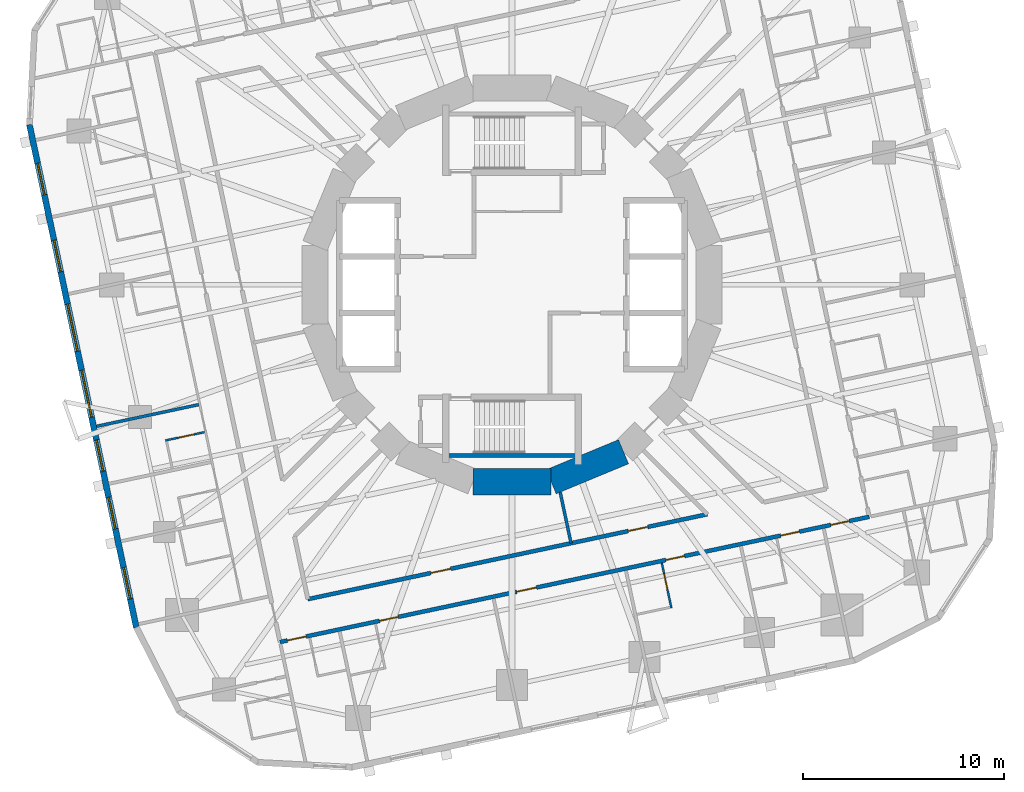
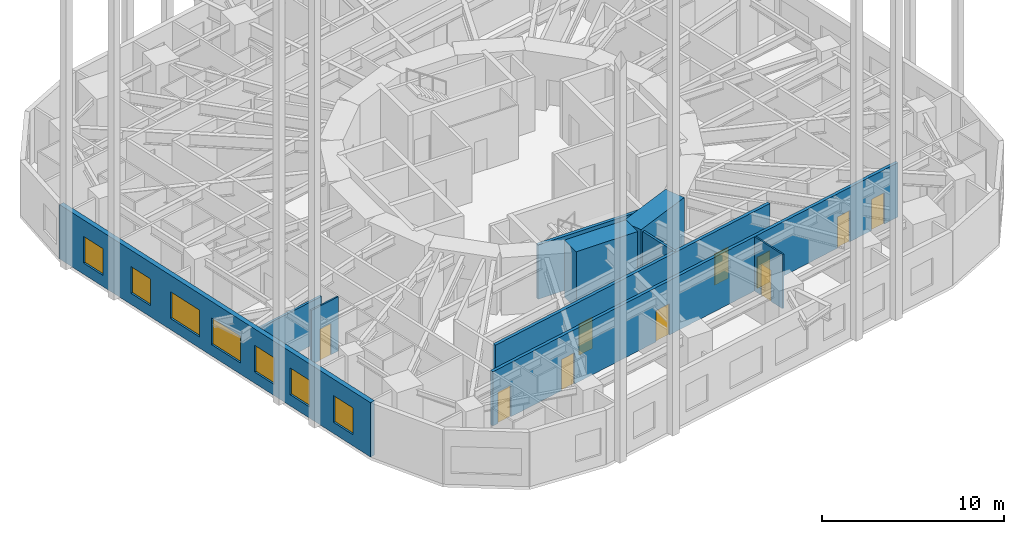
# One storey, part 5 of 12: 10 doors, 10 walls, 7 windows, 17 openings.
"""IFC4 building model written with IfcOpenShell, lengths in metres."""

import ifcopenshell
import ifcopenshell.guid

model = None  # the IFC model being written
_history = None  # IfcOwnerHistory: only IFC2X3 demands one
_inside = {}  # id of a spatial element -> (the spatial element, [elements in it])
_under = {}  # id of a project, library or spatial element -> (it, [spatial elements below it])
_declared = {}  # id of a project -> (the project, [libraries it declares])
_typed = {}  # id of a type object -> (the type object, [elements of that type])
_made_of = {}  # id of a material, layer set ... -> (it, [elements and type objects made of it])


def new_model(schema):
    """Start an empty IFC model of exactly this schema.

    Asked for "IFC4X3", IfcOpenShell would pick the latest addendum, in which some entities
    have other attributes; the version numbers below select the first issue.
    IFC2X3 requires an IfcOwnerHistory on every rooted entity: one is made here for all.
    """
    global model, _history
    if schema == "IFC4X3":
        model = ifcopenshell.file(schema_version=(4, 3, 0, 0))
    else:
        model = ifcopenshell.file(schema=schema)
    _inside.clear()
    _under.clear()
    _declared.clear()
    _typed.clear()
    _made_of.clear()
    _history = None
    if model.schema == "IFC2X3":
        org = make("IfcOrganization", Name="unknown")
        user = make(
            "IfcPersonAndOrganization",
            ThePerson=make("IfcPerson", FamilyName="unknown"),
            TheOrganization=org,
        )
        app = make(
            "IfcApplication",
            ApplicationDeveloper=org,
            Version="unknown",
            ApplicationFullName="unknown",
            ApplicationIdentifier="unknown",
        )
        _history = make(
            "IfcOwnerHistory",
            OwningUser=user,
            OwningApplication=app,
            ChangeAction="ADDED",
            CreationDate=0,
        )
    return model


def make(cls, **values):
    """One entity of the class cls with the attributes given. An attribute that is None is left unset."""
    return model.create_entity(
        cls, **{name: value for name, value in values.items() if value is not None}
    )


def rooted(cls, **values):
    """An entity with a GlobalId (a new one), such as an element, a storey or a relation."""
    return make(cls, GlobalId=ifcopenshell.guid.new(), OwnerHistory=_history, **values)


def si_unit(unit_type, name, prefix=None):
    """IfcSIUnit, for example si_unit("LENGTHUNIT", "METRE", prefix="MILLI")."""
    return make("IfcSIUnit", UnitType=unit_type, Prefix=prefix, Name=name)


def assignment(units):
    """IfcUnitAssignment: the units of a project."""
    return None if units is None else make("IfcUnitAssignment", Units=units)


def point(xyz):
    """IfcCartesianPoint."""
    return None if xyz is None else make("IfcCartesianPoint", Coordinates=xyz)


def direction(xyz):
    """IfcDirection."""
    return None if xyz is None else make("IfcDirection", DirectionRatios=xyz)


def frame(location, z_axis=None, x_axis=None):
    """IfcAxis2Placement3D, a coordinate frame: its origin and axes. An axis left out is left unset."""
    return make(
        "IfcAxis2Placement3D",
        Location=point(location),
        Axis=direction(z_axis),
        RefDirection=direction(x_axis),
    )


def frame_2d(location, x_axis=None):
    """IfcAxis2Placement2D, a coordinate frame in the plane: its origin and x axis."""
    return make(
        "IfcAxis2Placement2D", Location=point(location), RefDirection=direction(x_axis)
    )


def origin():
    """The frame at (0, 0, 0) with its axes left unset."""
    return frame((0.0, 0.0, 0.0))


def place(relative_to, where):
    """IfcLocalPlacement: puts the frame where relative to a parent placement (None: the world)."""
    return make(
        "IfcLocalPlacement", PlacementRelTo=relative_to, RelativePlacement=where
    )


def context(
    kind, dimensions, precision=None, world=None, true_north=None, identifier=None
):
    """IfcGeometricRepresentationContext, for example the 3D "Model" context."""
    return make(
        "IfcGeometricRepresentationContext",
        ContextIdentifier=identifier,
        ContextType=kind,
        CoordinateSpaceDimension=dimensions,
        Precision=precision,
        WorldCoordinateSystem=world,
        TrueNorth=true_north,
    )


def subcontext(parent, identifier, kind, view, scale=None):
    """IfcGeometricRepresentationSubContext, for example "Body" below "Model"."""
    return make(
        "IfcGeometricRepresentationSubContext",
        ContextIdentifier=identifier,
        ContextType=kind,
        ParentContext=parent,
        TargetScale=scale,
        TargetView=view,
    )


def project(units=None, contexts=None):
    """IfcProject with its units and contexts."""
    return rooted(
        "IfcProject",
        Name="project",
        RepresentationContexts=contexts,
        UnitsInContext=assignment(units),
    )


def spatial(cls, under=None, at=None, **own):
    """A site, building, storey or space (cls), placed at a placement, below another one or the project."""
    s = rooted(cls, ObjectPlacement=at, **own)
    if under is not None:
        _under.setdefault(under.id(), (under, []))[1].append(s)
    return s


def profile(cls, at=None, kind="AREA", **sizes):
    """A parametric profile (cls). Its sizes go by their IFC names, for example OverallWidth=200.0."""
    return make(cls, ProfileType=kind, Position=at, **sizes)


def rectangle(**sizes):
    """IfcRectangleProfileDef."""
    return profile("IfcRectangleProfileDef", **sizes)


def extrude(swept, where, along, depth):
    """IfcExtrudedAreaSolid: the profile swept, set in the frame where, extruded along a direction by depth."""
    return make(
        "IfcExtrudedAreaSolid",
        SweptArea=swept,
        Position=where,
        ExtrudedDirection=direction(along),
        Depth=depth,
    )


def shape(context_of_items, identifier, shape_type, items):
    """IfcShapeRepresentation: the items that make up one representation, for example the "Body"."""
    return make(
        "IfcShapeRepresentation",
        ContextOfItems=context_of_items,
        RepresentationIdentifier=identifier,
        RepresentationType=shape_type,
        Items=items,
    )


def material(Name=None, Category=None):
    """IfcMaterial."""
    return make("IfcMaterial", Name=Name, Category=Category)


def layer(
    of_material, thickness, ventilated=None, Name=None, Category=None, Priority=None
):
    """IfcMaterialLayer: one layer of a wall or slab, of a material (None: an air gap)."""
    return make(
        "IfcMaterialLayer",
        Material=of_material,
        LayerThickness=thickness,
        IsVentilated=ventilated,
        Name=Name,
        Category=Category,
        Priority=Priority,
    )


def layer_set(layers, Name=None):
    """IfcMaterialLayerSet."""
    return make("IfcMaterialLayerSet", MaterialLayers=layers, LayerSetName=Name)


def made_of(thing, what):
    """Note that an element or type object is made of a material, layer set ...; save() writes the relation."""
    if what is not None:
        _made_of.setdefault(what.id(), (what, []))[1].append(thing)
    return thing


def type_object(cls, material=None, **own):
    """A type object (cls), such as IfcWallType, which elements share."""
    return made_of(rooted(cls, **own), material)


def element(
    cls,
    number,
    at=None,
    inside=None,
    cuts=None,
    type_object=None,
    material=None,
    context=None,
    identifier="Body",
    shape_type=None,
    held_by="IfcProductDefinitionShape",
    body=None,
    shapes=None,
    **own,
):
    """One element of the class cls, such as IfcWall. Its Tag is "e" and its number.

    at: its placement. inside: the storey or other place that contains it. cuts: it is an
    opening in that element (IfcRelVoidsElement). A single representation is given by context,
    identifier, shape_type and body (its items); several are given by shapes. held_by: the class
    of the entity that holds the representations. save() writes the other relations.
    """
    e = rooted(cls, Tag="e%d" % number, ObjectPlacement=at, **own)
    if body is not None:
        shapes = [shape(context, identifier, shape_type, body)]
    if shapes is not None:
        e.Representation = make(held_by, Representations=shapes)
    if inside is not None:
        _inside.setdefault(inside.id(), (inside, []))[1].append(e)
    if cuts is not None:
        rooted(
            "IfcRelVoidsElement", RelatingBuildingElement=cuts, RelatedOpeningElement=e
        )
    if type_object is not None:
        _typed.setdefault(type_object.id(), (type_object, []))[1].append(e)
    return made_of(e, material)


def fill(opening, filler):
    """IfcRelFillsElement: the door or window that sits in an opening."""
    return rooted(
        "IfcRelFillsElement",
        RelatingOpeningElement=opening,
        RelatedBuildingElement=filler,
    )


def aggregate(whole, parts):
    """IfcRelAggregates: a whole, such as a stair, and the parts it consists of."""
    return rooted("IfcRelAggregates", RelatingObject=whole, RelatedObjects=parts)


def save(model, path):
    """Write the relations noted so far, then the file.

    IfcRelAggregates (storeys below a building ...), IfcRelContainedInSpatialStructure (elements
    in a storey), IfcRelDefinesByType, IfcRelAssociatesMaterial and IfcRelDeclares: one each for
    every whole, place, type object, material and project.
    """
    for whole, parts in _under.values():
        aggregate(whole, parts)
    for where, things in _inside.values():
        rooted(
            "IfcRelContainedInSpatialStructure",
            RelatedElements=things,
            RelatingStructure=where,
        )
    for kind, things in _typed.values():
        rooted("IfcRelDefinesByType", RelatedObjects=things, RelatingType=kind)
    for what, things in _made_of.values():
        rooted("IfcRelAssociatesMaterial", RelatedObjects=things, RelatingMaterial=what)
    for by, libraries in _declared.values():
        rooted("IfcRelDeclares", RelatingContext=by, RelatedDefinitions=libraries)
    model.write(path)


model = new_model("IFC4")

# Units and contexts
model_context = context("Model", 3, precision=1e-05, world=origin(), true_north=direction((0.0, 1.0)))
body_context = subcontext(model_context, "Body", "Model", "MODEL_VIEW")
ifc_project = project(units=[si_unit("LENGTHUNIT", "METRE"), si_unit("AREAUNIT", "SQUARE_METRE"), si_unit("VOLUMEUNIT", "CUBIC_METRE"), si_unit("PLANEANGLEUNIT", "RADIAN"), si_unit("MASSUNIT", "GRAM", prefix="KILO")], contexts=[model_context])

# Site, building, storey
site_placement = place(None, origin())
site = spatial("IfcSite", under=ifc_project, at=site_placement, CompositionType="ELEMENT")
building_placement = place(site_placement, origin())
building = spatial("IfcBuilding", under=site, at=building_placement, Name="Nakasero Lantern House", CompositionType="ELEMENT")
storey_placement = place(building_placement, frame((0.0, 0.0, 101.14990234375)))
storey = spatial("IfcBuildingStorey", under=building, at=storey_placement, Name="L24", CompositionType="ELEMENT", Elevation=101.14990234375)

# Walls
ifc_material_1 = material(Name="Concrete C50/60", Category="concrete")
ifc_layer_1 = layer(ifc_material_1, 1.300048828125)
ifc_layer_set_1 = layer_set([ifc_layer_1], Name="Core wall 1300")
wall_type_1 = type_object("IfcWallType", Name="Core wall 1300", PredefinedType="SHEAR", material=ifc_layer_set_1)
for number, where, z_axis, x_axis, name in (
    (1, (-1.950927734375, -9.807861328125, 0.0), (0.0, 0.0, 1.0), (1.0, 0.0, 0.0), "Core wall L24 facet 12"),
    (2, (1.950927734375, -9.807861328125, 0.0), (0.0, 0.0, 1.0), (0.923876507187, 0.382690736062, 0.0), "Core wall L24 facet 13"),
):
    element("IfcWall", number, at=place(storey_placement, frame(where, z_axis=z_axis, x_axis=x_axis)), inside=storey, type_object=wall_type_1, Name=name, PredefinedType="SHEAR", context=body_context, shape_type="SweptSolid", body=[
        extrude(rectangle(XDim=3.90185546875, YDim=1.300048828125, at=frame_2d((1.950927734375, 0.0))), origin(), (0.0, 0.0, 1.0), 3.85009765625),
    ])

# Wall, openings, doors
ifc_material_2 = material(Name="Blockwork", Category="masonry")
ifc_layer_2 = layer(ifc_material_2, 0.199951171875)
ifc_layer_set_2 = layer_set([ifc_layer_2], Name="Corridor wall 200")
wall_type_2 = type_object("IfcWallType", Name="Corridor wall 200", PredefinedType="PARTITIONING", material=ifc_layer_set_2)
wall_1_placement = place(storey_placement, frame((-11.553466796875, -17.790771484375, 0.0), z_axis=(0.0, 0.0, 1.0), x_axis=(0.978147639417, 0.207911508826, 0.0)))
wall_1 = element("IfcWall", 3, at=wall_1_placement, inside=storey, type_object=wall_type_2, Name="Corridor wall L24 CW3", PredefinedType="PARTITIONING", context=body_context, shape_type="SweptSolid", body=[
    extrude(rectangle(XDim=29.999755859375, YDim=0.199951171875, at=frame_2d((15.0, 0.0))), origin(), (0.0, 0.0, 1.0), 3.650146484375),
])
opening_1_placement = place(wall_1_placement, frame((0.375, 0.0, 0.0)))
opening_1 = element("IfcOpeningElement", 4, at=opening_1_placement, cuts=wall_1, Name="Opening D01", PredefinedType="OPENING", context=body_context, shape_type="SweptSolid", body=[
    extrude(rectangle(XDim=0.949951171875, YDim=2.10009765625, at=frame_2d((0.47509765625, 1.050048828125))), frame((0.0, 0.119873046875, 0.0), z_axis=(0.0, -1.0, 0.0), x_axis=(1.0, 0.0, 0.0)), (0.0, 0.0, 1.0), 0.239990234375),
])
opening_2_placement = place(wall_1_placement, frame((5.066162109375, 0.0, 0.0)))
opening_2 = element("IfcOpeningElement", 5, at=opening_2_placement, cuts=wall_1, Name="Opening D01", PredefinedType="OPENING", context=body_context, shape_type="SweptSolid", body=[
    extrude(rectangle(XDim=0.949951171875, YDim=2.10009765625, at=frame_2d((0.47509765625, 1.050048828125))), frame((0.0, 0.119873046875, 0.0), z_axis=(0.0, -1.0, 0.0), x_axis=(1.0, 0.0, 0.0)), (0.0, 0.0, 1.0), 0.239990234375),
])
opening_3_placement = place(wall_1_placement, frame((19.642578125, 0.0, 0.0)))
opening_3 = element("IfcOpeningElement", 6, at=opening_3_placement, cuts=wall_1, Name="Opening D01", PredefinedType="OPENING", context=body_context, shape_type="SweptSolid", body=[
    extrude(rectangle(XDim=0.949951171875, YDim=2.10009765625, at=frame_2d((0.47509765625, 1.050048828125))), frame((0.0, 0.119873046875, 0.0), z_axis=(0.0, -1.0, 0.0), x_axis=(1.0, 0.0, 0.0)), (0.0, 0.0, 1.0), 0.239990234375),
])
opening_4_placement = place(wall_1_placement, frame((25.495361328125, 0.0, 0.0)))
opening_4 = element("IfcOpeningElement", 7, at=opening_4_placement, cuts=wall_1, Name="Opening D01", PredefinedType="OPENING", context=body_context, shape_type="SweptSolid", body=[
    extrude(rectangle(XDim=0.949951171875, YDim=2.10009765625, at=frame_2d((0.47509765625, 1.050048828125))), frame((0.0, 0.119873046875, 0.0), z_axis=(0.0, -1.0, 0.0), x_axis=(1.0, 0.0, 0.0)), (0.0, 0.0, 1.0), 0.239990234375),
])
opening_5_placement = place(wall_1_placement, frame((28.038330078125, 0.0, 0.0)))
opening_5 = element("IfcOpeningElement", 8, at=opening_5_placement, cuts=wall_1, Name="Opening D01", PredefinedType="OPENING", context=body_context, shape_type="SweptSolid", body=[
    extrude(rectangle(XDim=0.949951171875, YDim=2.10009765625, at=frame_2d((0.47509765625, 1.050048828125))), frame((0.0, 0.119873046875, 0.0), z_axis=(0.0, -1.0, 0.0), x_axis=(1.0, 0.0, 0.0)), (0.0, 0.0, 1.0), 0.239990234375),
])
opening_6_placement = place(wall_1_placement, frame((12.05517578125, 0.0, 0.0)))
opening_6 = element("IfcOpeningElement", 9, at=opening_6_placement, cuts=wall_1, Name="Opening D03", PredefinedType="OPENING", context=body_context, shape_type="SweptSolid", body=[
    extrude(rectangle(XDim=1.0, YDim=2.10009765625, at=frame_2d((0.5, 1.050048828125))), frame((0.0, 0.119873046875, 0.0), z_axis=(0.0, -1.0, 0.0), x_axis=(1.0, 0.0, 0.0)), (0.0, 0.0, 1.0), 0.239990234375),
])
ifc_material_3 = material(Name="Timber C24", Category="wood")
door_type_1 = type_object("IfcDoorType", Name="Bedroom door FD30S 950", OperationType="SINGLE_SWING_LEFT", PredefinedType="DOOR", material=ifc_material_3)
door_1_placement = place(opening_1_placement, origin())
door_1 = element("IfcDoor", 10, at=door_1_placement, inside=storey, type_object=door_type_1, Name="Door L24 D3-00", OperationType="SINGLE_SWING_LEFT", OverallHeight=2.10009765625, OverallWidth=0.949951171875, PredefinedType="DOOR", context=body_context, shape_type="SweptSolid", body=[
    extrude(rectangle(XDim=0.949951171875, YDim=2.10009765625, at=frame_2d((0.47509765625, 1.050048828125))), frame((0.0, 0.02490234375, 0.0), z_axis=(0.0, -1.0, 0.0), x_axis=(1.0, 0.0, 0.0)), (0.0, 0.0, 1.0), 0.050048828125),
])
fill(opening_1, door_1)
door_2_placement = place(opening_2_placement, origin())
door_2 = element("IfcDoor", 11, at=door_2_placement, inside=storey, type_object=door_type_1, Name="Door L24 D3-01", OperationType="SINGLE_SWING_LEFT", OverallHeight=2.10009765625, OverallWidth=0.949951171875, PredefinedType="DOOR", context=body_context, shape_type="SweptSolid", body=[
    extrude(rectangle(XDim=0.949951171875, YDim=2.10009765625, at=frame_2d((0.47509765625, 1.050048828125))), frame((0.0, 0.02490234375, 0.0), z_axis=(0.0, -1.0, 0.0), x_axis=(1.0, 0.0, 0.0)), (0.0, 0.0, 1.0), 0.050048828125),
])
fill(opening_2, door_2)
door_3_placement = place(opening_3_placement, origin())
door_3 = element("IfcDoor", 12, at=door_3_placement, inside=storey, type_object=door_type_1, Name="Door L24 D3-05", OperationType="SINGLE_SWING_RIGHT", OverallHeight=2.10009765625, OverallWidth=0.949951171875, PredefinedType="DOOR", context=body_context, shape_type="SweptSolid", body=[
    extrude(rectangle(XDim=0.949951171875, YDim=2.10009765625, at=frame_2d((0.47509765625, 1.050048828125))), frame((0.0, 0.02490234375, 0.0), z_axis=(0.0, -1.0, 0.0), x_axis=(1.0, 0.0, 0.0)), (0.0, 0.0, 1.0), 0.050048828125),
])
fill(opening_3, door_3)
door_4_placement = place(opening_4_placement, origin())
door_4 = element("IfcDoor", 13, at=door_4_placement, inside=storey, type_object=door_type_1, Name="Door L24 D3-07", OperationType="SINGLE_SWING_RIGHT", OverallHeight=2.10009765625, OverallWidth=0.949951171875, PredefinedType="DOOR", context=body_context, shape_type="SweptSolid", body=[
    extrude(rectangle(XDim=0.949951171875, YDim=2.10009765625, at=frame_2d((0.47509765625, 1.050048828125))), frame((0.0, 0.02490234375, 0.0), z_axis=(0.0, -1.0, 0.0), x_axis=(1.0, 0.0, 0.0)), (0.0, 0.0, 1.0), 0.050048828125),
])
fill(opening_4, door_4)
door_5_placement = place(opening_5_placement, origin())
door_5 = element("IfcDoor", 14, at=door_5_placement, inside=storey, type_object=door_type_1, Name="Door L24 D3-08", OperationType="SINGLE_SWING_RIGHT", OverallHeight=2.10009765625, OverallWidth=0.949951171875, PredefinedType="DOOR", context=body_context, shape_type="SweptSolid", body=[
    extrude(rectangle(XDim=0.949951171875, YDim=2.10009765625, at=frame_2d((0.47509765625, 1.050048828125))), frame((0.0, 0.02490234375, 0.0), z_axis=(0.0, -1.0, 0.0), x_axis=(1.0, 0.0, 0.0)), (0.0, 0.0, 1.0), 0.050048828125),
])
fill(opening_5, door_5)
ifc_material_4 = material(Name="Timber C24", Category="wood")
door_type_2 = type_object("IfcDoorType", Name="Lounge door FD30S 1000", OperationType="SINGLE_SWING_LEFT", PredefinedType="DOOR", material=ifc_material_4)
door_6_placement = place(opening_6_placement, origin())
door_6 = element("IfcDoor", 15, at=door_6_placement, inside=storey, type_object=door_type_2, Name="Door L24 DK3", OperationType="SINGLE_SWING_LEFT", OverallHeight=2.10009765625, OverallWidth=1.0, PredefinedType="DOOR", context=body_context, shape_type="SweptSolid", body=[
    extrude(rectangle(XDim=1.0, YDim=2.10009765625, at=frame_2d((0.5, 1.050048828125))), frame((0.0, 0.02490234375, 0.0), z_axis=(0.0, -1.0, 0.0), x_axis=(1.0, 0.0, 0.0)), (0.0, 0.0, 1.0), 0.050048828125),
])
fill(opening_6, door_6)

wall_2_placement = place(storey_placement, frame((-10.1669921875, -15.656005859375, 0.0), z_axis=(0.0, 0.0, 1.0), x_axis=(0.978146922425, 0.207914881985, 0.0)))
wall_2 = element("IfcWall", 16, at=wall_2_placement, inside=storey, type_object=wall_type_2, Name="Corridor wall L24 IW3-0", PredefinedType="PARTITIONING", context=body_context, shape_type="SweptSolid", body=[
    extrude(rectangle(XDim=20.34130859375, YDim=0.199951171875, at=frame_2d((10.170654296875, 0.0))), origin(), (0.0, 0.0, 1.0), 3.650146484375),
])
opening_7_placement = place(wall_2_placement, frame((6.262451171875, 0.0, 0.0)))
opening_7 = element("IfcOpeningElement", 17, at=opening_7_placement, cuts=wall_2, Name="Opening D07", PredefinedType="OPENING", context=body_context, shape_type="SweptSolid", body=[
    extrude(rectangle(XDim=1.0, YDim=2.10009765625, at=frame_2d((0.5, 1.050048828125))), frame((0.0, 0.119873046875, 0.0), z_axis=(0.0, -1.0, 0.0), x_axis=(1.0, 0.0, 0.0)), (0.0, 0.0, 1.0), 0.239990234375),
])
opening_8_placement = place(wall_2_placement, frame((16.30810546875, 0.0, 0.0)))
opening_8 = element("IfcOpeningElement", 18, at=opening_8_placement, cuts=wall_2, Name="Opening D07", PredefinedType="OPENING", context=body_context, shape_type="SweptSolid", body=[
    extrude(rectangle(XDim=1.0, YDim=2.10009765625, at=frame_2d((0.5, 1.050048828125))), frame((0.0, 0.119873046875, 0.0), z_axis=(0.0, -1.0, 0.0), x_axis=(1.0, 0.0, 0.0)), (0.0, 0.0, 1.0), 0.239990234375),
])
ifc_material_5 = material(Name="Timber C24", Category="wood")
door_type_3 = type_object("IfcDoorType", Name="Room door FD30S 1000", OperationType="SINGLE_SWING_LEFT", PredefinedType="DOOR", material=ifc_material_5)
door_7_placement = place(opening_7_placement, origin())
door_7 = element("IfcDoor", 19, at=door_7_placement, inside=storey, type_object=door_type_3, Name="Door L24 DI1", OperationType="SINGLE_SWING_LEFT", OverallHeight=2.10009765625, OverallWidth=1.0, PredefinedType="DOOR", context=body_context, shape_type="SweptSolid", body=[
    extrude(rectangle(XDim=1.0, YDim=2.10009765625, at=frame_2d((0.5, 1.050048828125))), frame((0.0, 0.02490234375, 0.0), z_axis=(0.0, -1.0, 0.0), x_axis=(1.0, 0.0, 0.0)), (0.0, 0.0, 1.0), 0.050048828125),
])
fill(opening_7, door_7)
door_8_placement = place(opening_8_placement, origin())
door_8 = element("IfcDoor", 20, at=door_8_placement, inside=storey, type_object=door_type_3, Name="Door L24 DI2", OperationType="SINGLE_SWING_RIGHT", OverallHeight=2.10009765625, OverallWidth=1.0, PredefinedType="DOOR", context=body_context, shape_type="SweptSolid", body=[
    extrude(rectangle(XDim=1.0, YDim=2.10009765625, at=frame_2d((0.5, 1.050048828125))), frame((0.0, 0.02490234375, 0.0), z_axis=(0.0, -1.0, 0.0), x_axis=(1.0, 0.0, 0.0)), (0.0, 0.0, 1.0), 0.050048828125),
])
fill(opening_8, door_8)

# Wall, opening, door
ifc_material_6 = material(Name="Blockwork", Category="masonry")
ifc_layer_3 = layer(ifc_material_6, 0.10009765625)
ifc_layer_set_3 = layer_set([ifc_layer_3], Name="En-suite wall 100")
wall_type_3 = type_object("IfcWallType", Name="En-suite wall 100", PredefinedType="PARTITIONING", material=ifc_layer_set_3)
wall_3_placement = place(storey_placement, frame((-15.30908203125, -7.337158203125, 0.0), z_axis=(0.0, 0.0, 1.0), x_axis=(-0.978152955943, -0.207886494942, 0.0)))
wall_3 = element("IfcWall", 21, at=wall_3_placement, inside=storey, type_object=wall_type_3, Name="En-suite wall L24 ES2-05", PredefinedType="PARTITIONING", context=body_context, shape_type="SweptSolid", body=[
    extrude(rectangle(XDim=2.0, YDim=0.10009765625, at=frame_2d((1.0, 0.0))), origin(), (0.0, 0.0, 1.0), 3.650146484375),
])
opening_9_placement = place(wall_3_placement, frame((0.550048828125, 0.0, 0.0)))
opening_9 = element("IfcOpeningElement", 22, at=opening_9_placement, cuts=wall_3, Name="Opening D02", PredefinedType="OPENING", context=body_context, shape_type="SweptSolid", body=[
    extrude(rectangle(XDim=0.800048828125, YDim=2.10009765625, at=frame_2d((0.39990234375, 1.050048828125))), frame((0.0, 0.070068359375, 0.0), z_axis=(0.0, -1.0, 0.0), x_axis=(1.0, 0.0, 0.0)), (0.0, 0.0, 1.0), 0.14013671875),
])
ifc_material_7 = material(Name="Timber C24", Category="wood")
door_type_4 = type_object("IfcDoorType", Name="En-suite door 800", OperationType="SINGLE_SWING_RIGHT", PredefinedType="DOOR", material=ifc_material_7)
door_9_placement = place(opening_9_placement, origin())
door_9 = element("IfcDoor", 23, at=door_9_placement, inside=storey, type_object=door_type_4, Name="Door L24 DE2-05", OperationType="SINGLE_SWING_LEFT", OverallHeight=2.10009765625, OverallWidth=0.800048828125, PredefinedType="DOOR", context=body_context, shape_type="SweptSolid", body=[
    extrude(rectangle(XDim=0.800048828125, YDim=2.10009765625, at=frame_2d((0.39990234375, 1.050048828125))), frame((0.0, 0.02490234375, 0.0), z_axis=(0.0, -1.0, 0.0), x_axis=(1.0, 0.0, 0.0)), (0.0, 0.0, 1.0), 0.050048828125),
])
fill(opening_9, door_9)

wall_4_placement = place(storey_placement, frame((7.46044921875, -13.8515625, 0.0), z_axis=(0.0, 0.0, 1.0), x_axis=(0.207941273027, -0.978141312374, 0.0)))
wall_4 = element("IfcWall", 24, at=wall_4_placement, inside=storey, type_object=wall_type_3, Name="En-suite wall L24 ES3-05", PredefinedType="PARTITIONING", context=body_context, shape_type="SweptSolid", body=[
    extrude(rectangle(XDim=2.300048828125, YDim=0.10009765625, at=frame_2d((1.14990234375, 0.0))), origin(), (0.0, 0.0, 1.0), 3.650146484375),
])
opening_10_placement = place(wall_4_placement, frame((0.550048828125, 0.0, 0.0)))
opening_10 = element("IfcOpeningElement", 25, at=opening_10_placement, cuts=wall_4, Name="Opening D02", PredefinedType="OPENING", context=body_context, shape_type="SweptSolid", body=[
    extrude(rectangle(XDim=0.800048828125, YDim=2.10009765625, at=frame_2d((0.39990234375, 1.050048828125))), frame((0.0, 0.070068359375, 0.0), z_axis=(0.0, -1.0, 0.0), x_axis=(1.0, 0.0, 0.0)), (0.0, 0.0, 1.0), 0.14013671875),
])
door_10_placement = place(opening_10_placement, origin())
door_10 = element("IfcDoor", 26, at=door_10_placement, inside=storey, type_object=door_type_4, Name="Door L24 DE3-05", OperationType="SINGLE_SWING_LEFT", OverallHeight=2.10009765625, OverallWidth=0.800048828125, PredefinedType="DOOR", context=body_context, shape_type="SweptSolid", body=[
    extrude(rectangle(XDim=0.800048828125, YDim=2.10009765625, at=frame_2d((0.39990234375, 1.050048828125))), frame((0.0, 0.02490234375, 0.0), z_axis=(0.0, -1.0, 0.0), x_axis=(1.0, 0.0, 0.0)), (0.0, 0.0, 1.0), 0.050048828125),
])
fill(opening_10, door_10)

# Wall, openings, windows
ifc_material_8 = material(Name="Aluminium rainscreen on blockwork", Category="masonry")
ifc_layer_4 = layer(ifc_material_8, 0.300048828125)
ifc_layer_set_4 = layer_set([ifc_layer_4], Name="Facade wall 300")
wall_type_4 = type_object("IfcWallType", Name="Facade wall 300", PredefinedType="SOLIDWALL", material=ifc_layer_set_4)
wall_5_placement = place(storey_placement, frame((-24.03369140625, 7.9775390625, 0.0), z_axis=(0.0, 0.0, 1.0), x_axis=(0.207909055127, -0.978148160964, 0.0)))
wall_5 = element("IfcWall", 27, at=wall_5_placement, inside=storey, type_object=wall_type_4, Name="Facade wall L24 FW2S", PredefinedType="SOLIDWALL", context=body_context, shape_type="SweptSolid", body=[
    extrude(rectangle(XDim=25.60009765625, YDim=0.300048828125, at=frame_2d((12.800048828125, 0.0))), origin(), (0.0, 0.0, 1.0), 3.650146484375),
])
opening_11_placement = place(wall_5_placement, frame((1.975830078125, 0.0, 0.75)))
opening_11 = element("IfcOpeningElement", 28, at=opening_11_placement, cuts=wall_5, Name="Opening W01", PredefinedType="OPENING", context=body_context, shape_type="SweptSolid", body=[
    extrude(rectangle(XDim=1.60009765625, YDim=1.800048828125, at=frame_2d((0.800048828125, 0.89990234375))), frame((0.0, 0.169921875, 0.0), z_axis=(0.0, -1.0, 0.0), x_axis=(1.0, 0.0, 0.0)), (0.0, 0.0, 1.0), 0.340087890625),
])
opening_12_placement = place(wall_5_placement, frame((5.8955078125, 0.0, 0.75)))
opening_12 = element("IfcOpeningElement", 29, at=opening_12_placement, cuts=wall_5, Name="Opening W01", PredefinedType="OPENING", context=body_context, shape_type="SweptSolid", body=[
    extrude(rectangle(XDim=1.60009765625, YDim=1.800048828125, at=frame_2d((0.800048828125, 0.89990234375))), frame((0.0, 0.169921875, 0.0), z_axis=(0.0, -1.0, 0.0), x_axis=(1.0, 0.0, 0.0)), (0.0, 0.0, 1.0), 0.340087890625),
])
opening_13_placement = place(wall_5_placement, frame((16.0556640625, 0.0, 0.75)))
opening_13 = element("IfcOpeningElement", 30, at=opening_13_placement, cuts=wall_5, Name="Opening W01", PredefinedType="OPENING", context=body_context, shape_type="SweptSolid", body=[
    extrude(rectangle(XDim=1.60009765625, YDim=1.800048828125, at=frame_2d((0.800048828125, 0.89990234375))), frame((0.0, 0.169921875, 0.0), z_axis=(0.0, -1.0, 0.0), x_axis=(1.0, 0.0, 0.0)), (0.0, 0.0, 1.0), 0.340087890625),
])
opening_14_placement = place(wall_5_placement, frame((18.982177734375, 0.0, 0.75)))
opening_14 = element("IfcOpeningElement", 31, at=opening_14_placement, cuts=wall_5, Name="Opening W01", PredefinedType="OPENING", context=body_context, shape_type="SweptSolid", body=[
    extrude(rectangle(XDim=1.60009765625, YDim=1.800048828125, at=frame_2d((0.800048828125, 0.89990234375))), frame((0.0, 0.169921875, 0.0), z_axis=(0.0, -1.0, 0.0), x_axis=(1.0, 0.0, 0.0)), (0.0, 0.0, 1.0), 0.340087890625),
])
opening_15_placement = place(wall_5_placement, frame((22.554443359375, 0.0, 0.75)))
opening_15 = element("IfcOpeningElement", 32, at=opening_15_placement, cuts=wall_5, Name="Opening W01", PredefinedType="OPENING", context=body_context, shape_type="SweptSolid", body=[
    extrude(rectangle(XDim=1.60009765625, YDim=1.800048828125, at=frame_2d((0.800048828125, 0.89990234375))), frame((0.0, 0.169921875, 0.0), z_axis=(0.0, -1.0, 0.0), x_axis=(1.0, 0.0, 0.0)), (0.0, 0.0, 1.0), 0.340087890625),
])
opening_16_placement = place(wall_5_placement, frame((9.139404296875, 0.0, 0.75)))
opening_16 = element("IfcOpeningElement", 33, at=opening_16_placement, cuts=wall_5, Name="Opening W03", PredefinedType="OPENING", context=body_context, shape_type="SweptSolid", body=[
    extrude(rectangle(XDim=2.39990234375, YDim=1.800048828125, at=frame_2d((1.199951171875, 0.89990234375))), frame((0.0, 0.169921875, 0.0), z_axis=(0.0, -1.0, 0.0), x_axis=(1.0, 0.0, 0.0)), (0.0, 0.0, 1.0), 0.340087890625),
])
opening_17_placement = place(wall_5_placement, frame((12.50830078125, 0.0, 0.75)))
opening_17 = element("IfcOpeningElement", 34, at=opening_17_placement, cuts=wall_5, Name="Opening W03", PredefinedType="OPENING", context=body_context, shape_type="SweptSolid", body=[
    extrude(rectangle(XDim=2.39990234375, YDim=1.800048828125, at=frame_2d((1.199951171875, 0.89990234375))), frame((0.0, 0.169921875, 0.0), z_axis=(0.0, -1.0, 0.0), x_axis=(1.0, 0.0, 0.0)), (0.0, 0.0, 1.0), 0.340087890625),
])
ifc_material_9 = material(Name="Aluminium 6063-T6 and glass", Category="aluminium")
window_type_1 = type_object("IfcWindowType", Name="Bedroom window 1600x1800", PartitioningType="SINGLE_PANEL", PredefinedType="WINDOW", material=ifc_material_9)
window_1_placement = place(opening_11_placement, origin())
window_1 = element("IfcWindow", 35, at=window_1_placement, inside=storey, type_object=window_type_1, Name="Window L24 WN2-01", OverallHeight=1.800048828125, OverallWidth=1.60009765625, PartitioningType="SINGLE_PANEL", PredefinedType="WINDOW", context=body_context, shape_type="SweptSolid", body=[
    extrude(rectangle(XDim=1.60009765625, YDim=1.800048828125, at=frame_2d((0.800048828125, 0.89990234375))), frame((0.0, 0.030029296875, 0.0), z_axis=(0.0, -1.0, 0.0), x_axis=(1.0, 0.0, 0.0)), (0.0, 0.0, 1.0), 0.06005859375),
])
fill(opening_11, window_1)
window_2_placement = place(opening_12_placement, origin())
window_2 = element("IfcWindow", 36, at=window_2_placement, inside=storey, type_object=window_type_1, Name="Window L24 WN2-02", OverallHeight=1.800048828125, OverallWidth=1.60009765625, PartitioningType="SINGLE_PANEL", PredefinedType="WINDOW", context=body_context, shape_type="SweptSolid", body=[
    extrude(rectangle(XDim=1.60009765625, YDim=1.800048828125, at=frame_2d((0.800048828125, 0.89990234375))), frame((0.0, 0.030029296875, 0.0), z_axis=(0.0, -1.0, 0.0), x_axis=(1.0, 0.0, 0.0)), (0.0, 0.0, 1.0), 0.06005859375),
])
fill(opening_12, window_2)
window_3_placement = place(opening_13_placement, origin())
window_3 = element("IfcWindow", 37, at=window_3_placement, inside=storey, type_object=window_type_1, Name="Window L24 WN2-05", OverallHeight=1.800048828125, OverallWidth=1.60009765625, PartitioningType="SINGLE_PANEL", PredefinedType="WINDOW", context=body_context, shape_type="SweptSolid", body=[
    extrude(rectangle(XDim=1.60009765625, YDim=1.800048828125, at=frame_2d((0.800048828125, 0.89990234375))), frame((0.0, 0.030029296875, 0.0), z_axis=(0.0, -1.0, 0.0), x_axis=(1.0, 0.0, 0.0)), (0.0, 0.0, 1.0), 0.06005859375),
])
fill(opening_13, window_3)
window_4_placement = place(opening_14_placement, origin())
window_4 = element("IfcWindow", 38, at=window_4_placement, inside=storey, type_object=window_type_1, Name="Window L24 WN2-06", OverallHeight=1.800048828125, OverallWidth=1.60009765625, PartitioningType="SINGLE_PANEL", PredefinedType="WINDOW", context=body_context, shape_type="SweptSolid", body=[
    extrude(rectangle(XDim=1.60009765625, YDim=1.800048828125, at=frame_2d((0.800048828125, 0.89990234375))), frame((0.0, 0.030029296875, 0.0), z_axis=(0.0, -1.0, 0.0), x_axis=(1.0, 0.0, 0.0)), (0.0, 0.0, 1.0), 0.06005859375),
])
fill(opening_14, window_4)
window_5_placement = place(opening_15_placement, origin())
window_5 = element("IfcWindow", 39, at=window_5_placement, inside=storey, type_object=window_type_1, Name="Window L24 WN2-07", OverallHeight=1.800048828125, OverallWidth=1.60009765625, PartitioningType="SINGLE_PANEL", PredefinedType="WINDOW", context=body_context, shape_type="SweptSolid", body=[
    extrude(rectangle(XDim=1.60009765625, YDim=1.800048828125, at=frame_2d((0.800048828125, 0.89990234375))), frame((0.0, 0.030029296875, 0.0), z_axis=(0.0, -1.0, 0.0), x_axis=(1.0, 0.0, 0.0)), (0.0, 0.0, 1.0), 0.06005859375),
])
fill(opening_15, window_5)
ifc_material_10 = material(Name="Aluminium 6063-T6 and glass", Category="aluminium")
window_type_2 = type_object("IfcWindowType", Name="Lounge window 2400x1800", PartitioningType="SINGLE_PANEL", PredefinedType="WINDOW", material=ifc_material_10)
window_6_placement = place(opening_16_placement, origin())
window_6 = element("IfcWindow", 40, at=window_6_placement, inside=storey, type_object=window_type_2, Name="Window L24 WK2", OverallHeight=1.800048828125, OverallWidth=2.39990234375, PartitioningType="SINGLE_PANEL", PredefinedType="WINDOW", context=body_context, shape_type="SweptSolid", body=[
    extrude(rectangle(XDim=2.39990234375, YDim=1.800048828125, at=frame_2d((1.199951171875, 0.89990234375))), frame((0.0, 0.030029296875, 0.0), z_axis=(0.0, -1.0, 0.0), x_axis=(1.0, 0.0, 0.0)), (0.0, 0.0, 1.0), 0.06005859375),
])
fill(opening_16, window_6)
window_7_placement = place(opening_17_placement, origin())
window_7 = element("IfcWindow", 41, at=window_7_placement, inside=storey, type_object=window_type_2, Name="Window L24 WL2", OverallHeight=1.800048828125, OverallWidth=2.39990234375, PartitioningType="SINGLE_PANEL", PredefinedType="WINDOW", context=body_context, shape_type="SweptSolid", body=[
    extrude(rectangle(XDim=2.39990234375, YDim=1.800048828125, at=frame_2d((1.199951171875, 0.89990234375))), frame((0.0, 0.030029296875, 0.0), z_axis=(0.0, -1.0, 0.0), x_axis=(1.0, 0.0, 0.0)), (0.0, 0.0, 1.0), 0.06005859375),
])
fill(opening_17, window_7)

# Walls
ifc_material_11 = material(Name="Blockwork", Category="masonry")
ifc_layer_5 = layer(ifc_material_11, 0.199951171875)
ifc_layer_set_5 = layer_set([ifc_layer_5], Name="Fire lobby wall 200")
wall_type_5 = type_object("IfcWallType", Name="Fire lobby wall 200", PredefinedType="PARTITIONING", material=ifc_layer_set_5)
wall_6_placement = place(storey_placement, frame((-3.300048828125, -8.5, 0.0), z_axis=(0.0, 0.0, 1.0), x_axis=(1.0, 0.0, 0.0)))
element("IfcWall", 42, at=wall_6_placement, inside=storey, type_object=wall_type_5, Name="Fire lobby wall L24 W-STS", PredefinedType="PARTITIONING", context=body_context, shape_type="SweptSolid", body=[
    extrude(rectangle(XDim=6.60009765625, YDim=0.199951171875, at=frame_2d((3.300048828125, 0.0))), origin(), (0.0, 0.0, 1.0), 3.650146484375),
])
ifc_material_12 = material(Name="Blockwork", Category="masonry")
ifc_layer_6 = layer(ifc_material_12, 0.14990234375)
ifc_layer_set_6 = layer_set([ifc_layer_6], Name="Party wall 150")
wall_type_6 = type_object("IfcWallType", Name="Party wall 150", PredefinedType="PARTITIONING", material=ifc_layer_set_6)
wall_7_placement = place(storey_placement, frame((-15.600341796875, -5.966552734375, 0.0), z_axis=(0.0, 0.0, 1.0), x_axis=(-0.978151452323, -0.207893569688, 0.0)))
element("IfcWall", 43, at=wall_7_placement, inside=storey, type_object=wall_type_6, Name="Party wall L24 PW2-05", PredefinedType="PARTITIONING", context=body_context, shape_type="SweptSolid", body=[
    extrude(rectangle(XDim=5.199951171875, YDim=0.14990234375, at=frame_2d((2.60009765625, 0.0))), origin(), (0.0, 0.0, 1.0), 2.957275390625),
])
wall_8_placement = place(storey_placement, frame((2.940185546875, -12.869873046875, 0.0), z_axis=(0.0, 0.0, 1.0), x_axis=(-0.207996830597, 0.978129499842, 0.0)))
element("IfcWall", 44, at=wall_8_placement, inside=storey, type_object=wall_type_6, Name="Party wall L24 IM3", PredefinedType="PARTITIONING", context=body_context, shape_type="SweptSolid", body=[
    extrude(rectangle(XDim=2.60107421875, YDim=0.14990234375, at=frame_2d((1.300537109375, 0.0))), origin(), (0.0, 0.0, 1.0), 3.650146484375),
])

save(model, "model.ifc")
